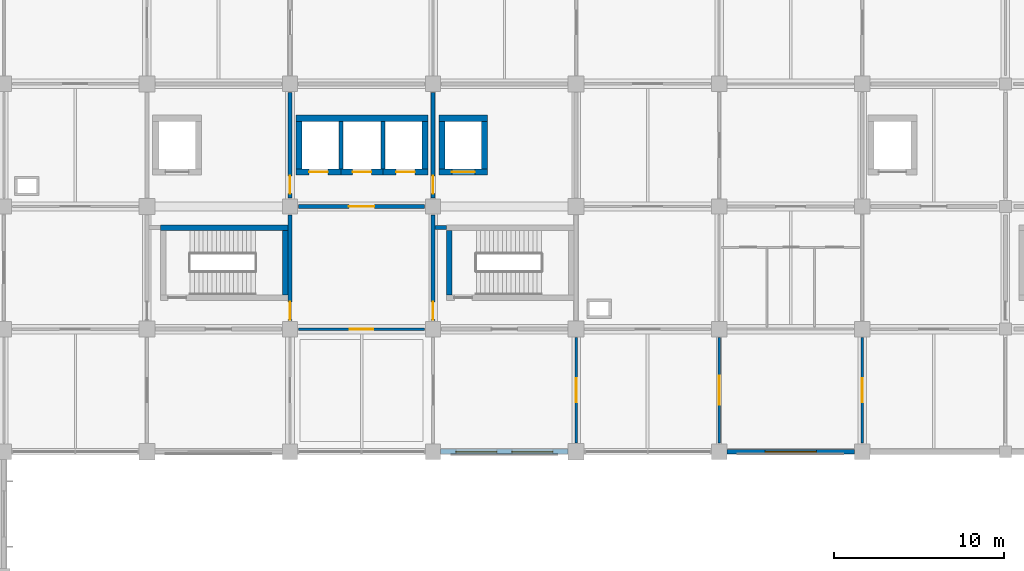
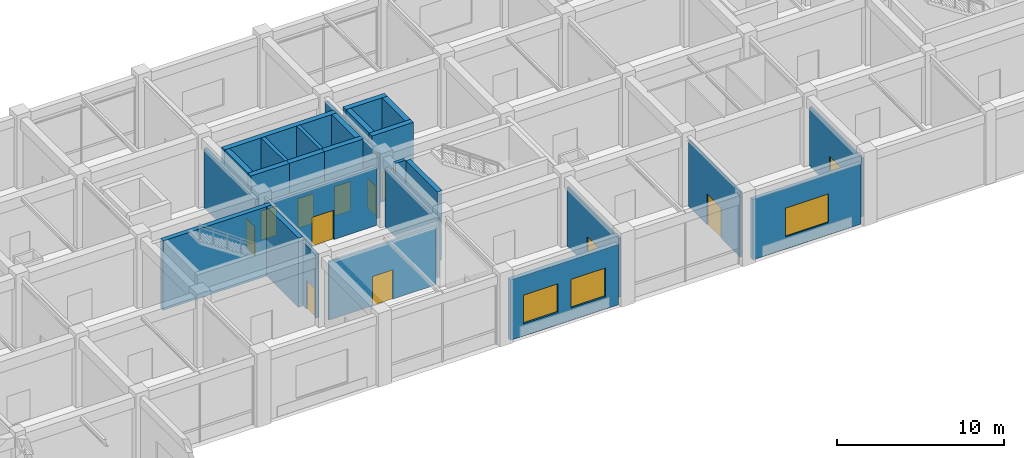
# One storey, part 24 of 41: 27 walls, 13 doors, 3 windows, 16 openings.
"""IFC4 building model written with IfcOpenShell, lengths in metres."""

from ifc_helpers import new_model, si_unit, derived_unit, direction, frame, frame_2d, origin, place, context, subcontext, project, spatial, rectangle, extrude, material, layer, layer_set, type_object, element, fill, save


model = new_model("IFC4")

# Units and contexts
model_context = context("Model", 3, precision=1e-05, world=origin(), true_north=direction((0.0, 1.0)))
body_context = subcontext(model_context, "Body", "Model", "MODEL_VIEW")
ifc_project = project(units=[si_unit("LENGTHUNIT", "METRE"), si_unit("AREAUNIT", "SQUARE_METRE"), si_unit("VOLUMEUNIT", "CUBIC_METRE"), si_unit("PLANEANGLEUNIT", "RADIAN"), si_unit("MASSUNIT", "GRAM", prefix="KILO"), derived_unit("THERMALTRANSMITTANCEUNIT", [(si_unit("MASSUNIT", "GRAM", prefix="KILO"), 1), (si_unit("TIMEUNIT", "SECOND"), -3), (si_unit("THERMODYNAMICTEMPERATUREUNIT", "KELVIN"), -1)])], contexts=[model_context])

# Site, building, storey
site_placement = place(None, origin())
site = spatial("IfcSite", under=ifc_project, at=site_placement, CompositionType="ELEMENT")
building_placement = place(site_placement, origin())
building = spatial("IfcBuilding", under=site, at=building_placement, Name="Veldstrom Oceanarium and Marine Research Institute", CompositionType="ELEMENT")
storey_placement = place(building_placement, frame((0.0, 0.0, 6.0)))
storey = spatial("IfcBuildingStorey", under=building, at=storey_placement, Name="L01", CompositionType="ELEMENT", Elevation=6.0)

# Wall, openings, windows
ifc_material_1 = material(Name="Masonry Cavity Wall", Category="masonry")
ifc_layer_1 = layer(ifc_material_1, 0.2900390625)
ifc_layer_set_1 = layer_set([ifc_layer_1], Name="ARC-WAL-EW2")
wall_type_1 = type_object("IfcWallType", Name="ARC-WAL-EW2", PredefinedType="SOLIDWALL", material=ifc_layer_set_1)
wall_1_placement = place(storey_placement, frame((92.85009765625, 43.199951171875, 0.0), z_axis=(0.0, 0.0, 1.0), x_axis=(1.0, 0.0, 0.0)))
wall_1 = element("IfcWall", 1, at=wall_1_placement, inside=storey, type_object=wall_type_1, Name="Exterior Facade Wall EW2 L01-093", PredefinedType="SOLIDWALL", context=body_context, shape_type="SweptSolid", body=[
    extrude(rectangle(XDim=7.474853515625, YDim=0.2900390625, at=frame_2d((3.7373046875, 0.0))), origin(), (0.0, 0.0, 1.0), 4.419921875),
])
opening_1_placement = place(wall_1_placement, frame((0.8916015625, 0.0, 0.89990234375)))
opening_1 = element("IfcOpeningElement", 2, at=opening_1_placement, cuts=wall_1, Name="Opening W09", PredefinedType="OPENING", context=body_context, shape_type="SweptSolid", body=[
    extrude(rectangle(XDim=2.39990234375, YDim=2.10009765625, at=frame_2d((1.199951171875, 1.050048828125))), frame((0.0, 0.155029296875, 0.0), z_axis=(0.0, -1.0, 0.0), x_axis=(1.0, 0.0, 0.0)), (0.0, 0.0, 1.0), 0.31005859375),
])
opening_2_placement = place(wall_1_placement, frame((4.183349609375, 0.0, 0.89990234375)))
opening_2 = element("IfcOpeningElement", 3, at=opening_2_placement, cuts=wall_1, Name="Opening W09", PredefinedType="OPENING", context=body_context, shape_type="SweptSolid", body=[
    extrude(rectangle(XDim=2.39990234375, YDim=2.10009765625, at=frame_2d((1.199951171875, 1.050048828125))), frame((0.0, 0.155029296875, 0.0), z_axis=(0.0, -1.0, 0.0), x_axis=(1.0, 0.0, 0.0)), (0.0, 0.0, 1.0), 0.31005859375),
])
ifc_material_2 = material(Name="Double Glazed Low-E IGU", Category="glass")
window_type_1 = type_object("IfcWindowType", Name="ARC-WIN-W09", PartitioningType="SINGLE_PANEL", PredefinedType="WINDOW", material=ifc_material_2)
window_1_placement = place(opening_1_placement, origin())
window_1 = element("IfcWindow", 4, at=window_1_placement, inside=storey, type_object=window_type_1, Name="Facade Window W09 L01-0062", OverallHeight=2.10009765625, OverallWidth=2.39990234375, PartitioningType="SINGLE_PANEL", PredefinedType="WINDOW", context=body_context, shape_type="SweptSolid", body=[
    extrude(rectangle(XDim=2.39990234375, YDim=2.10009765625, at=frame_2d((1.199951171875, 1.050048828125))), frame((0.0, 0.030029296875, 0.0), z_axis=(0.0, -1.0, 0.0), x_axis=(1.0, 0.0, 0.0)), (0.0, 0.0, 1.0), 0.06005859375),
])
fill(opening_1, window_1)
window_2_placement = place(opening_2_placement, origin())
window_2 = element("IfcWindow", 5, at=window_2_placement, inside=storey, type_object=window_type_1, Name="Facade Window W09 L01-0063", OverallHeight=2.10009765625, OverallWidth=2.39990234375, PartitioningType="SINGLE_PANEL", PredefinedType="WINDOW", context=body_context, shape_type="SweptSolid", body=[
    extrude(rectangle(XDim=2.39990234375, YDim=2.10009765625, at=frame_2d((1.199951171875, 1.050048828125))), frame((0.0, 0.030029296875, 0.0), z_axis=(0.0, -1.0, 0.0), x_axis=(1.0, 0.0, 0.0)), (0.0, 0.0, 1.0), 0.06005859375),
])
fill(opening_2, window_2)

# Wall, opening, window
ifc_material_3 = material(Name="Masonry Cavity Wall", Category="masonry")
ifc_layer_2 = layer(ifc_material_3, 0.25)
ifc_layer_set_2 = layer_set([ifc_layer_2], Name="ARC-WAL-EW5")
wall_type_2 = type_object("IfcWallType", Name="ARC-WAL-EW5", PredefinedType="SOLIDWALL", material=ifc_layer_set_2)
wall_2_placement = place(storey_placement, frame((109.64990234375, 43.199951171875, 0.0), z_axis=(0.0, 0.0, 1.0), x_axis=(1.0, 0.0, 0.0)))
wall_2 = element("IfcWall", 6, at=wall_2_placement, inside=storey, type_object=wall_type_2, Name="Exterior Facade Wall EW5 L01-095", PredefinedType="SOLIDWALL", context=body_context, shape_type="SweptSolid", body=[
    extrude(rectangle(XDim=7.5, YDim=0.25, at=frame_2d((3.75, 0.0))), origin(), (0.0, 0.0, 1.0), 4.419921875),
])
opening_3_placement = place(wall_2_placement, frame((2.25, 0.0, 0.89990234375)))
opening_3 = element("IfcOpeningElement", 7, at=opening_3_placement, cuts=wall_2, Name="Opening W07", PredefinedType="OPENING", context=body_context, shape_type="SweptSolid", body=[
    extrude(rectangle(XDim=3.0, YDim=2.10009765625, at=frame_2d((1.5, 1.050048828125))), frame((0.0, 0.135009765625, 0.0), z_axis=(0.0, -1.0, 0.0), x_axis=(1.0, 0.0, 0.0)), (0.0, 0.0, 1.0), 0.27001953125),
])
ifc_material_4 = material(Name="Double Glazed Low-E IGU", Category="glass")
window_type_2 = type_object("IfcWindowType", Name="ARC-WIN-W07", PartitioningType="SINGLE_PANEL", PredefinedType="WINDOW", material=ifc_material_4)
window_3_placement = place(opening_3_placement, origin())
window_3 = element("IfcWindow", 8, at=window_3_placement, inside=storey, type_object=window_type_2, Name="Facade Window W07 L01-0065", OverallHeight=2.10009765625, OverallWidth=3.0, PartitioningType="SINGLE_PANEL", PredefinedType="WINDOW", context=body_context, shape_type="SweptSolid", body=[
    extrude(rectangle(XDim=3.0, YDim=2.10009765625, at=frame_2d((1.5, 1.050048828125))), frame((0.0, 0.030029296875, 0.0), z_axis=(0.0, -1.0, 0.0), x_axis=(1.0, 0.0, 0.0)), (0.0, 0.0, 1.0), 0.06005859375),
])
fill(opening_3, window_3)

# Wall, opening, door
ifc_material_5 = material(Name="Masonry Fire Compartment Wall", Category="masonry")
ifc_layer_3 = layer(ifc_material_5, 0.22998046875)
ifc_layer_set_3 = layer_set([ifc_layer_3], Name="ARC-WAL-PT1")
wall_type_3 = type_object("IfcWallType", Name="ARC-WAL-PT1", PredefinedType="PARTITIONING", material=ifc_layer_set_3)
wall_3_placement = place(storey_placement, frame((84.0, 50.89990234375, 0.0), z_axis=(0.0, 0.0, 1.0), x_axis=(0.0, 1.0, 0.0)))
wall_3 = element("IfcWall", 9, at=wall_3_placement, inside=storey, type_object=wall_type_3, Name="Interior Partition PT1 L01-0952", PredefinedType="PARTITIONING", context=body_context, shape_type="SweptSolid", body=[
    extrude(rectangle(XDim=6.2001953125, YDim=0.22998046875, at=frame_2d((3.10009765625, 0.0))), origin(), (0.0, 0.0, 1.0), 4.669921875),
])
opening_4_placement = place(wall_3_placement, frame((0.050048828125, 0.0, 0.0)))
opening_4 = element("IfcOpeningElement", 10, at=opening_4_placement, cuts=wall_3, Name="Opening D-L01-553", PredefinedType="OPENING", context=body_context, shape_type="SweptSolid", body=[
    extrude(rectangle(XDim=1.050048828125, YDim=2.14990234375, at=frame_2d((0.52490234375, 1.074951171875))), frame((0.0, 0.125, 0.0), z_axis=(0.0, -1.0, 0.0), x_axis=(1.0, 0.0, 0.0)), (0.0, 0.0, 1.0), 0.25),
])
ifc_material_6 = material(Name="Painted Steel Fire Door", Category="steel")
door_type_1 = type_object("IfcDoorType", Name="ARC-DOR-SD1", OperationType="SINGLE_SWING_LEFT", PredefinedType="DOOR", material=ifc_material_6)
door_1_placement = place(opening_4_placement, origin())
door_1 = element("IfcDoor", 11, at=door_1_placement, inside=storey, type_object=door_type_1, Name="Interior Door D-L01-553", OperationType="SINGLE_SWING_LEFT", OverallHeight=2.14990234375, OverallWidth=1.050048828125, PredefinedType="DOOR", context=body_context, shape_type="SweptSolid", body=[
    extrude(rectangle(XDim=1.050048828125, YDim=2.14990234375, at=frame_2d((0.52490234375, 1.074951171875))), frame((0.0, 0.02490234375, 0.0), z_axis=(0.0, -1.0, 0.0), x_axis=(1.0, 0.0, 0.0)), (0.0, 0.0, 1.0), 0.050048828125),
])
fill(opening_4, door_1)

wall_4_placement = place(storey_placement, frame((84.0, 58.10009765625, 0.0), z_axis=(0.0, 0.0, 1.0), x_axis=(0.0, 1.0, 0.0)))
wall_4 = element("IfcWall", 12, at=wall_4_placement, inside=storey, type_object=wall_type_3, Name="Interior Partition PT1 L01-0954", PredefinedType="PARTITIONING", context=body_context, shape_type="SweptSolid", body=[
    extrude(rectangle(XDim=6.199951171875, YDim=0.22998046875, at=frame_2d((3.10009765625, 0.0))), origin(), (0.0, 0.0, 1.0), 4.320068359375),
])
opening_5_placement = place(wall_4_placement, frame((0.25, 0.0, 0.0)))
opening_5 = element("IfcOpeningElement", 13, at=opening_5_placement, cuts=wall_4, Name="Opening D-L01-554", PredefinedType="OPENING", context=body_context, shape_type="SweptSolid", body=[
    extrude(rectangle(XDim=1.050048828125, YDim=2.14990234375, at=frame_2d((0.52490234375, 1.074951171875))), frame((0.0, 0.125, 0.0), z_axis=(0.0, -1.0, 0.0), x_axis=(1.0, 0.0, 0.0)), (0.0, 0.0, 1.0), 0.25),
])
door_2_placement = place(opening_5_placement, frame((1.050048828125, 0.0, 0.0), z_axis=(0.0, 0.0, 1.0), x_axis=(-1.0, 0.0, 0.0)))
door_2 = element("IfcDoor", 14, at=door_2_placement, inside=storey, type_object=door_type_1, Name="Interior Door D-L01-554", OperationType="SINGLE_SWING_RIGHT", OverallHeight=2.14990234375, OverallWidth=1.050048828125, PredefinedType="DOOR", context=body_context, shape_type="SweptSolid", body=[
    extrude(rectangle(XDim=1.050048828125, YDim=2.14990234375, at=frame_2d((0.52490234375, 1.074951171875))), frame((0.0, 0.02490234375, 0.0), z_axis=(0.0, -1.0, 0.0), x_axis=(1.0, 0.0, 0.0)), (0.0, 0.0, 1.0), 0.050048828125),
])
fill(opening_5, door_2)

wall_5_placement = place(storey_placement, frame((92.39990234375, 50.89990234375, 0.0), z_axis=(0.0, 0.0, 1.0), x_axis=(0.0, 1.0, 0.0)))
wall_5 = element("IfcWall", 15, at=wall_5_placement, inside=storey, type_object=wall_type_3, Name="Interior Partition PT1 L01-0959", PredefinedType="PARTITIONING", context=body_context, shape_type="SweptSolid", body=[
    extrude(rectangle(XDim=6.2001953125, YDim=0.22998046875, at=frame_2d((3.10009765625, 0.0))), origin(), (0.0, 0.0, 1.0), 4.320068359375),
])
opening_6_placement = place(wall_5_placement, frame((0.050048828125, 0.0, 0.0)))
opening_6 = element("IfcOpeningElement", 16, at=opening_6_placement, cuts=wall_5, Name="Opening D-L01-558", PredefinedType="OPENING", context=body_context, shape_type="SweptSolid", body=[
    extrude(rectangle(XDim=1.050048828125, YDim=2.14990234375, at=frame_2d((0.52490234375, 1.074951171875))), frame((0.0, 0.125, 0.0), z_axis=(0.0, -1.0, 0.0), x_axis=(1.0, 0.0, 0.0)), (0.0, 0.0, 1.0), 0.25),
])
door_3_placement = place(opening_6_placement, frame((1.050048828125, 0.0, 0.0), z_axis=(0.0, 0.0, 1.0), x_axis=(-1.0, 0.0, 0.0)))
door_3 = element("IfcDoor", 17, at=door_3_placement, inside=storey, type_object=door_type_1, Name="Interior Door D-L01-558", OperationType="SINGLE_SWING_RIGHT", OverallHeight=2.14990234375, OverallWidth=1.050048828125, PredefinedType="DOOR", context=body_context, shape_type="SweptSolid", body=[
    extrude(rectangle(XDim=1.050048828125, YDim=2.14990234375, at=frame_2d((0.52490234375, 1.074951171875))), frame((0.0, 0.02490234375, 0.0), z_axis=(0.0, -1.0, 0.0), x_axis=(1.0, 0.0, 0.0)), (0.0, 0.0, 1.0), 0.050048828125),
])
fill(opening_6, door_3)

wall_6_placement = place(storey_placement, frame((84.5, 57.60009765625, 0.0), z_axis=(0.0, 0.0, 1.0), x_axis=(1.0, 0.0, 0.0)))
wall_6 = element("IfcWall", 18, at=wall_6_placement, inside=storey, type_object=wall_type_3, Name="Interior Partition PT1 L01-0960", PredefinedType="PARTITIONING", context=body_context, shape_type="SweptSolid", body=[
    extrude(rectangle(XDim=7.39990234375, YDim=0.22998046875, at=frame_2d((3.699951171875, 0.0))), origin(), (0.0, 0.0, 1.0), 4.27001953125),
])
opening_7_placement = place(wall_6_placement, frame((2.949951171875, 0.0, 0.0)))
opening_7 = element("IfcOpeningElement", 19, at=opening_7_placement, cuts=wall_6, Name="Opening D-L01-559", PredefinedType="OPENING", context=body_context, shape_type="SweptSolid", body=[
    extrude(rectangle(XDim=1.5, YDim=2.14990234375, at=frame_2d((0.75, 1.074951171875))), frame((0.0, 0.125, 0.0), z_axis=(0.0, -1.0, 0.0), x_axis=(1.0, 0.0, 0.0)), (0.0, 0.0, 1.0), 0.25),
])
ifc_material_7 = material(Name="Painted Steel Lobby Fire Door", Category="steel")
door_type_2 = type_object("IfcDoorType", Name="ARC-DOR-SD2", OperationType="DOUBLE_DOOR_SINGLE_SWING", PredefinedType="DOOR", material=ifc_material_7)
door_4_placement = place(opening_7_placement, origin())
door_4 = element("IfcDoor", 20, at=door_4_placement, inside=storey, type_object=door_type_2, Name="Interior Door D-L01-559", OperationType="DOUBLE_DOOR_SINGLE_SWING", OverallHeight=2.14990234375, OverallWidth=1.5, PredefinedType="DOOR", context=body_context, shape_type="SweptSolid", body=[
    extrude(rectangle(XDim=1.5, YDim=2.14990234375, at=frame_2d((0.75, 1.074951171875))), frame((0.0, 0.02490234375, 0.0), z_axis=(0.0, -1.0, 0.0), x_axis=(1.0, 0.0, 0.0)), (0.0, 0.0, 1.0), 0.050048828125),
])
fill(opening_7, door_4)

wall_7_placement = place(storey_placement, frame((92.39990234375, 58.10009765625, 0.0), z_axis=(0.0, 0.0, 1.0), x_axis=(0.0, 1.0, 0.0)))
wall_7 = element("IfcWall", 21, at=wall_7_placement, inside=storey, type_object=wall_type_3, Name="Interior Partition PT1 L01-0961", PredefinedType="PARTITIONING", context=body_context, shape_type="SweptSolid", body=[
    extrude(rectangle(XDim=6.199951171875, YDim=0.22998046875, at=frame_2d((3.10009765625, 0.0))), origin(), (0.0, 0.0, 1.0), 4.780029296875),
])
opening_8_placement = place(wall_7_placement, frame((0.25, 0.0, 0.0)))
opening_8 = element("IfcOpeningElement", 22, at=opening_8_placement, cuts=wall_7, Name="Opening D-L01-560", PredefinedType="OPENING", context=body_context, shape_type="SweptSolid", body=[
    extrude(rectangle(XDim=1.050048828125, YDim=2.14990234375, at=frame_2d((0.52490234375, 1.074951171875))), frame((0.0, 0.125, 0.0), z_axis=(0.0, -1.0, 0.0), x_axis=(1.0, 0.0, 0.0)), (0.0, 0.0, 1.0), 0.25),
])
door_5_placement = place(opening_8_placement, origin())
door_5 = element("IfcDoor", 23, at=door_5_placement, inside=storey, type_object=door_type_1, Name="Interior Door D-L01-560", OperationType="SINGLE_SWING_LEFT", OverallHeight=2.14990234375, OverallWidth=1.050048828125, PredefinedType="DOOR", context=body_context, shape_type="SweptSolid", body=[
    extrude(rectangle(XDim=1.050048828125, YDim=2.14990234375, at=frame_2d((0.52490234375, 1.074951171875))), frame((0.0, 0.02490234375, 0.0), z_axis=(0.0, -1.0, 0.0), x_axis=(1.0, 0.0, 0.0)), (0.0, 0.0, 1.0), 0.050048828125),
])
fill(opening_8, door_5)

# Wall
wall_8_placement = place(storey_placement, frame((92.52001953125, 56.360107421875, 0.0), z_axis=(0.0, 0.0, 1.0), x_axis=(1.0, 0.0, 0.0)))
element("IfcWall", 24, at=wall_8_placement, inside=storey, type_object=wall_type_3, Name="Interior Partition PT1 L01-0967", PredefinedType="PARTITIONING", context=body_context, shape_type="SweptSolid", body=[
    extrude(rectangle(XDim=0.679931640625, YDim=0.22998046875, at=frame_2d((0.33984375, 0.0))), origin(), (0.0, 0.0, 1.0), 5.074951171875),
])

# Wall, opening, door
ifc_material_8 = material(Name="Drywall Corridor Partition", Category="gypsum")
ifc_layer_4 = layer(ifc_material_8, 0.155029296875)
ifc_layer_set_4 = layer_set([ifc_layer_4], Name="ARC-WAL-PT4")
wall_type_4 = type_object("IfcWallType", Name="ARC-WAL-PT4", PredefinedType="PARTITIONING", material=ifc_layer_set_4)
wall_9_placement = place(storey_placement, frame((84.5, 50.39990234375, 0.0), z_axis=(0.0, 0.0, 1.0), x_axis=(1.0, 0.0, 0.0)))
wall_9 = element("IfcWall", 25, at=wall_9_placement, inside=storey, type_object=wall_type_4, Name="Interior Partition PT4 L01-0958", PredefinedType="PARTITIONING", context=body_context, shape_type="SweptSolid", body=[
    extrude(rectangle(XDim=7.39990234375, YDim=0.155029296875, at=frame_2d((3.699951171875, 0.0))), origin(), (0.0, 0.0, 1.0), 4.27001953125),
])
opening_9_placement = place(wall_9_placement, frame((3.0, 0.0, 0.0)))
opening_9 = element("IfcOpeningElement", 26, at=opening_9_placement, cuts=wall_9, Name="Opening D-L01-557", PredefinedType="OPENING", context=body_context, shape_type="SweptSolid", body=[
    extrude(rectangle(XDim=1.39990234375, YDim=2.14990234375, at=frame_2d((0.699951171875, 1.074951171875))), frame((0.0, 0.08740234375, 0.0), z_axis=(0.0, -1.0, 0.0), x_axis=(1.0, 0.0, 0.0)), (0.0, 0.0, 1.0), 0.175048828125),
])
ifc_material_9 = material(Name="Education Classroom Door", Category="timber")
door_type_3 = type_object("IfcDoorType", Name="ARC-DOR-ID04", OperationType="DOUBLE_DOOR_SINGLE_SWING", PredefinedType="DOOR", material=ifc_material_9)
door_6_placement = place(opening_9_placement, frame((1.39990234375, 0.0, 0.0), z_axis=(0.0, 0.0, 1.0), x_axis=(-1.0, 0.0, 0.0)))
door_6 = element("IfcDoor", 27, at=door_6_placement, inside=storey, type_object=door_type_3, Name="Interior Door D-L01-557", OperationType="DOUBLE_DOOR_SINGLE_SWING", OverallHeight=2.14990234375, OverallWidth=1.39990234375, PredefinedType="DOOR", context=body_context, shape_type="SweptSolid", body=[
    extrude(rectangle(XDim=1.39990234375, YDim=2.14990234375, at=frame_2d((0.699951171875, 1.074951171875))), frame((0.0, 0.02490234375, 0.0), z_axis=(0.0, -1.0, 0.0), x_axis=(1.0, 0.0, 0.0)), (0.0, 0.0, 1.0), 0.050048828125),
])
fill(opening_9, door_6)

wall_10_placement = place(storey_placement, frame((109.199951171875, 43.699951171875, 0.0), z_axis=(0.0, 0.0, 1.0), x_axis=(0.0, 1.0, 0.0)))
wall_10 = element("IfcWall", 28, at=wall_10_placement, inside=storey, type_object=wall_type_4, Name="Interior Partition PT4 L01-0971", PredefinedType="PARTITIONING", context=body_context, shape_type="SweptSolid", body=[
    extrude(rectangle(XDim=6.199951171875, YDim=0.155029296875, at=frame_2d((3.10009765625, 0.0))), origin(), (0.0, 0.0, 1.0), 4.780029296875),
])
opening_10_placement = place(wall_10_placement, frame((2.25, 0.0, 0.0)))
opening_10 = element("IfcOpeningElement", 29, at=opening_10_placement, cuts=wall_10, Name="Opening D-L01-564", PredefinedType="OPENING", context=body_context, shape_type="SweptSolid", body=[
    extrude(rectangle(XDim=1.699951171875, YDim=2.25, at=frame_2d((0.85009765625, 1.125))), frame((0.0, 0.08740234375, 0.0), z_axis=(0.0, -1.0, 0.0), x_axis=(1.0, 0.0, 0.0)), (0.0, 0.0, 1.0), 0.175048828125),
])
ifc_material_10 = material(Name="Symposium Auditorium Door", Category="timber")
door_type_4 = type_object("IfcDoorType", Name="ARC-DOR-ID13", OperationType="DOUBLE_DOOR_SINGLE_SWING", PredefinedType="DOOR", material=ifc_material_10)
door_7_placement = place(opening_10_placement, origin())
door_7 = element("IfcDoor", 30, at=door_7_placement, inside=storey, type_object=door_type_4, Name="Interior Door D-L01-564", OperationType="DOUBLE_DOOR_SINGLE_SWING", OverallHeight=2.25, OverallWidth=1.699951171875, PredefinedType="DOOR", context=body_context, shape_type="SweptSolid", body=[
    extrude(rectangle(XDim=1.699951171875, YDim=2.25, at=frame_2d((0.85009765625, 1.125))), frame((0.0, 0.02490234375, 0.0), z_axis=(0.0, -1.0, 0.0), x_axis=(1.0, 0.0, 0.0)), (0.0, 0.0, 1.0), 0.050048828125),
])
fill(opening_10, door_7)

ifc_material_11 = material(Name="Moisture-Resistant Wet-Area Partition", Category="masonry")
ifc_layer_5 = layer(ifc_material_11, 0.139892578125)
ifc_layer_set_5 = layer_set([ifc_layer_5], Name="ARC-WAL-PT5")
wall_type_5 = type_object("IfcWallType", Name="ARC-WAL-PT5", PredefinedType="PARTITIONING", material=ifc_layer_set_5)
wall_11_placement = place(storey_placement, frame((100.800048828125, 43.699951171875, 0.0), z_axis=(0.0, 0.0, 1.0), x_axis=(0.0, 1.0, 0.0)))
wall_11 = element("IfcWall", 31, at=wall_11_placement, inside=storey, type_object=wall_type_5, Name="Interior Partition PT5 L01-0964", PredefinedType="PARTITIONING", context=body_context, shape_type="SweptSolid", body=[
    extrude(rectangle(XDim=6.199951171875, YDim=0.139892578125, at=frame_2d((3.10009765625, 0.0))), origin(), (0.0, 0.0, 1.0), 4.320068359375),
])
opening_11_placement = place(wall_11_placement, frame((2.39990234375, 0.0, 0.0)))
opening_11 = element("IfcOpeningElement", 32, at=opening_11_placement, cuts=wall_11, Name="Opening D-L01-561", PredefinedType="OPENING", context=body_context, shape_type="SweptSolid", body=[
    extrude(rectangle(XDim=1.39990234375, YDim=2.14990234375, at=frame_2d((0.699951171875, 1.074951171875))), frame((0.0, 0.079833984375, 0.0), z_axis=(0.0, -1.0, 0.0), x_axis=(1.0, 0.0, 0.0)), (0.0, 0.0, 1.0), 0.159912109375),
])
door_8_placement = place(opening_11_placement, frame((1.39990234375, 0.0, 0.0), z_axis=(0.0, 0.0, 1.0), x_axis=(-1.0, 0.0, 0.0)))
door_8 = element("IfcDoor", 33, at=door_8_placement, inside=storey, type_object=door_type_3, Name="Interior Door D-L01-561", OperationType="DOUBLE_DOOR_SINGLE_SWING", OverallHeight=2.14990234375, OverallWidth=1.39990234375, PredefinedType="DOOR", context=body_context, shape_type="SweptSolid", body=[
    extrude(rectangle(XDim=1.39990234375, YDim=2.14990234375, at=frame_2d((0.699951171875, 1.074951171875))), frame((0.0, 0.02490234375, 0.0), z_axis=(0.0, -1.0, 0.0), x_axis=(1.0, 0.0, 0.0)), (0.0, 0.0, 1.0), 0.050048828125),
])
fill(opening_11, door_8)

wall_12_placement = place(storey_placement, frame((117.60009765625, 43.699951171875, 0.0), z_axis=(0.0, 0.0, 1.0), x_axis=(0.0, 1.0, 0.0)))
wall_12 = element("IfcWall", 34, at=wall_12_placement, inside=storey, type_object=wall_type_5, Name="Interior Partition PT5 L01-0978", PredefinedType="PARTITIONING", context=body_context, shape_type="SweptSolid", body=[
    extrude(rectangle(XDim=6.199951171875, YDim=0.139892578125, at=frame_2d((3.10009765625, 0.0))), origin(), (0.0, 0.0, 1.0), 4.320068359375),
])
opening_12_placement = place(wall_12_placement, frame((2.39990234375, 0.0, 0.0)))
opening_12 = element("IfcOpeningElement", 35, at=opening_12_placement, cuts=wall_12, Name="Opening D-L01-569", PredefinedType="OPENING", context=body_context, shape_type="SweptSolid", body=[
    extrude(rectangle(XDim=1.39990234375, YDim=2.14990234375, at=frame_2d((0.699951171875, 1.074951171875))), frame((0.0, 0.079833984375, 0.0), z_axis=(0.0, -1.0, 0.0), x_axis=(1.0, 0.0, 0.0)), (0.0, 0.0, 1.0), 0.159912109375),
])
door_9_placement = place(opening_12_placement, frame((1.39990234375, 0.0, 0.0), z_axis=(0.0, 0.0, 1.0), x_axis=(-1.0, 0.0, 0.0)))
door_9 = element("IfcDoor", 36, at=door_9_placement, inside=storey, type_object=door_type_3, Name="Interior Door D-L01-569", OperationType="DOUBLE_DOOR_SINGLE_SWING", OverallHeight=2.14990234375, OverallWidth=1.39990234375, PredefinedType="DOOR", context=body_context, shape_type="SweptSolid", body=[
    extrude(rectangle(XDim=1.39990234375, YDim=2.14990234375, at=frame_2d((0.699951171875, 1.074951171875))), frame((0.0, 0.02490234375, 0.0), z_axis=(0.0, -1.0, 0.0), x_axis=(1.0, 0.0, 0.0)), (0.0, 0.0, 1.0), 0.050048828125),
])
fill(opening_12, door_9)

# Wall
ifc_material_12 = material(Name="Concrete C40/50", Category="concrete")
ifc_layer_6 = layer(ifc_material_12, 0.360107421875)
ifc_layer_set_6 = layer_set([ifc_layer_6], Name="STR-WAL-WC2")
wall_type_6 = type_object("IfcWallType", Name="STR-WAL-WC2", PredefinedType="SHEAR", material=ifc_layer_set_6)
wall_13_placement = place(storey_placement, frame((84.340087890625, 62.780029296875, 0.0), z_axis=(0.0, 0.0, 1.0), x_axis=(1.0, 0.0, 0.0)))
element("IfcWall", 37, at=wall_13_placement, inside=storey, type_object=wall_type_6, Name="Lift Shaft Shear Wall N L01 10/8", PredefinedType="SHEAR", context=body_context, shape_type="SweptSolid", body=[
    extrude(rectangle(XDim=7.77001953125, YDim=0.360107421875, at=frame_2d((3.885009765625, 0.0))), origin(), (0.0, 0.0, 1.0), 5.074951171875),
])

# Wall, opening, door
wall_14_placement = place(storey_placement, frame((84.340087890625, 59.6201171875, 0.0), z_axis=(0.0, 0.0, 1.0), x_axis=(1.0, 0.0, 0.0)))
wall_14 = element("IfcWall", 38, at=wall_14_placement, inside=storey, type_object=wall_type_6, Name="Lift Shaft Front Shear Wall LP1 L01", PredefinedType="SHEAR", context=body_context, shape_type="SweptSolid", body=[
    extrude(rectangle(XDim=2.659912109375, YDim=0.360107421875, at=frame_2d((1.330078125, 0.0))), origin(), (0.0, 0.0, 1.0), 5.074951171875),
])
opening_13_placement = place(wall_14_placement, frame((0.780029296875, 0.0, 0.0)))
opening_13 = element("IfcOpeningElement", 39, at=opening_13_placement, cuts=wall_14, Name="Opening LD-LP1-L01", PredefinedType="OPENING", context=body_context, shape_type="SweptSolid", body=[
    extrude(rectangle(XDim=1.10009765625, YDim=2.14990234375, at=frame_2d((0.550048828125, 1.074951171875))), frame((0.0, 0.18994140625, 0.0), z_axis=(0.0, -1.0, 0.0), x_axis=(1.0, 0.0, 0.0)), (0.0, 0.0, 1.0), 0.380126953125),
])
ifc_material_13 = material(Name="Stainless Steel Lift Landing Door", Category="steel")
door_type_5 = type_object("IfcDoorType", Name="ARC-DOR-LD1", OperationType="DOUBLE_DOOR_SLIDING", PredefinedType="DOOR", material=ifc_material_13)
door_10_placement = place(opening_13_placement, origin())
door_10 = element("IfcDoor", 40, at=door_10_placement, inside=storey, type_object=door_type_5, Name="Lift Landing Door LD-LP1-L01", OperationType="DOUBLE_DOOR_SLIDING", OverallHeight=2.14990234375, OverallWidth=1.10009765625, PredefinedType="DOOR", context=body_context, shape_type="SweptSolid", body=[
    extrude(rectangle(XDim=1.10009765625, YDim=2.14990234375, at=frame_2d((0.550048828125, 1.074951171875))), frame((0.0, 0.02490234375, 0.0), z_axis=(0.0, -1.0, 0.0), x_axis=(1.0, 0.0, 0.0)), (0.0, 0.0, 1.0), 0.050048828125),
])
fill(opening_13, door_10)

wall_15_placement = place(storey_placement, frame((87.0, 59.6201171875, 0.0), z_axis=(0.0, 0.0, 1.0), x_axis=(1.0, 0.0, 0.0)))
wall_15 = element("IfcWall", 41, at=wall_15_placement, inside=storey, type_object=wall_type_6, Name="Lift Shaft Front Shear Wall LP2 L01", PredefinedType="SHEAR", context=body_context, shape_type="SweptSolid", body=[
    extrude(rectangle(XDim=2.449951171875, YDim=0.360107421875, at=frame_2d((1.22509765625, 0.0))), origin(), (0.0, 0.0, 1.0), 5.074951171875),
])
opening_14_placement = place(wall_15_placement, frame((0.675048828125, 0.0, 0.0)))
opening_14 = element("IfcOpeningElement", 42, at=opening_14_placement, cuts=wall_15, Name="Opening LD-LP2-L01", PredefinedType="OPENING", context=body_context, shape_type="SweptSolid", body=[
    extrude(rectangle(XDim=1.10009765625, YDim=2.14990234375, at=frame_2d((0.550048828125, 1.074951171875))), frame((0.0, 0.18994140625, 0.0), z_axis=(0.0, -1.0, 0.0), x_axis=(1.0, 0.0, 0.0)), (0.0, 0.0, 1.0), 0.380126953125),
])
door_11_placement = place(opening_14_placement, origin())
door_11 = element("IfcDoor", 43, at=door_11_placement, inside=storey, type_object=door_type_5, Name="Lift Landing Door LD-LP2-L01", OperationType="DOUBLE_DOOR_SLIDING", OverallHeight=2.14990234375, OverallWidth=1.10009765625, PredefinedType="DOOR", context=body_context, shape_type="SweptSolid", body=[
    extrude(rectangle(XDim=1.10009765625, YDim=2.14990234375, at=frame_2d((0.550048828125, 1.074951171875))), frame((0.0, 0.02490234375, 0.0), z_axis=(0.0, -1.0, 0.0), x_axis=(1.0, 0.0, 0.0)), (0.0, 0.0, 1.0), 0.050048828125),
])
fill(opening_14, door_11)

wall_16_placement = place(storey_placement, frame((89.449951171875, 59.6201171875, 0.0), z_axis=(0.0, 0.0, 1.0), x_axis=(1.0, 0.0, 0.0)))
wall_16 = element("IfcWall", 44, at=wall_16_placement, inside=storey, type_object=wall_type_6, Name="Lift Shaft Front Shear Wall LP3 L01", PredefinedType="SHEAR", context=body_context, shape_type="SweptSolid", body=[
    extrude(rectangle(XDim=2.66015625, YDim=0.360107421875, at=frame_2d((1.330078125, 0.0))), origin(), (0.0, 0.0, 1.0), 5.074951171875),
])
opening_15_placement = place(wall_16_placement, frame((0.780029296875, 0.0, 0.0)))
opening_15 = element("IfcOpeningElement", 45, at=opening_15_placement, cuts=wall_16, Name="Opening LD-LP3-L01", PredefinedType="OPENING", context=body_context, shape_type="SweptSolid", body=[
    extrude(rectangle(XDim=1.10009765625, YDim=2.14990234375, at=frame_2d((0.550048828125, 1.074951171875))), frame((0.0, 0.18994140625, 0.0), z_axis=(0.0, -1.0, 0.0), x_axis=(1.0, 0.0, 0.0)), (0.0, 0.0, 1.0), 0.380126953125),
])
door_12_placement = place(opening_15_placement, origin())
door_12 = element("IfcDoor", 46, at=door_12_placement, inside=storey, type_object=door_type_5, Name="Lift Landing Door LD-LP3-L01", OperationType="DOUBLE_DOOR_SLIDING", OverallHeight=2.14990234375, OverallWidth=1.10009765625, PredefinedType="DOOR", context=body_context, shape_type="SweptSolid", body=[
    extrude(rectangle(XDim=1.10009765625, YDim=2.14990234375, at=frame_2d((0.550048828125, 1.074951171875))), frame((0.0, 0.02490234375, 0.0), z_axis=(0.0, -1.0, 0.0), x_axis=(1.0, 0.0, 0.0)), (0.0, 0.0, 1.0), 0.050048828125),
])
fill(opening_15, door_12)

# Walls
for number, where, z_axis, x_axis, name in (
    (47, (84.52001953125, 59.800048828125, 0.0), (0.0, 0.0, 1.0), (0.0, 1.0, 0.0), "Lift Shaft Shear Wall W L01 10/8"),
    (48, (91.929931640625, 59.800048828125, 0.0), (0.0, 0.0, 1.0), (0.0, 1.0, 0.0), "Lift Shaft Shear Wall E L01 10/8"),
):
    element("IfcWall", number, at=place(storey_placement, frame(where, z_axis=z_axis, x_axis=x_axis)), inside=storey, type_object=wall_type_6, Name=name, PredefinedType="SHEAR", context=body_context, shape_type="SweptSolid", body=[
        extrude(rectangle(XDim=2.800048828125, YDim=0.360107421875, at=frame_2d((1.39990234375, 0.0))), origin(), (0.0, 0.0, 1.0), 5.074951171875),
    ])
wall_17_placement = place(storey_placement, frame((92.739990234375, 62.780029296875, 0.0), z_axis=(0.0, 0.0, 1.0), x_axis=(1.0, 0.0, 0.0)))
element("IfcWall", 49, at=wall_17_placement, inside=storey, type_object=wall_type_6, Name="Lift Shaft Shear Wall N L01 11/8", PredefinedType="SHEAR", context=body_context, shape_type="SweptSolid", body=[
    extrude(rectangle(XDim=2.8701171875, YDim=0.360107421875, at=frame_2d((1.43505859375, 0.0))), origin(), (0.0, 0.0, 1.0), 5.074951171875),
])

# Wall, opening, door
wall_18_placement = place(storey_placement, frame((92.739990234375, 59.6201171875, 0.0), z_axis=(0.0, 0.0, 1.0), x_axis=(1.0, 0.0, 0.0)))
wall_18 = element("IfcWall", 50, at=wall_18_placement, inside=storey, type_object=wall_type_6, Name="Lift Shaft Front Shear Wall LF2 L01", PredefinedType="SHEAR", context=body_context, shape_type="SweptSolid", body=[
    extrude(rectangle(XDim=2.8701171875, YDim=0.360107421875, at=frame_2d((1.43505859375, 0.0))), origin(), (0.0, 0.0, 1.0), 5.074951171875),
])
opening_16_placement = place(wall_18_placement, frame((0.760009765625, 0.0, 0.0)))
opening_16 = element("IfcOpeningElement", 51, at=opening_16_placement, cuts=wall_18, Name="Opening LD-LF2-L01", PredefinedType="OPENING", context=body_context, shape_type="SweptSolid", body=[
    extrude(rectangle(XDim=1.35009765625, YDim=2.199951171875, at=frame_2d((0.675048828125, 1.10009765625))), frame((0.0, 0.18994140625, 0.0), z_axis=(0.0, -1.0, 0.0), x_axis=(1.0, 0.0, 0.0)), (0.0, 0.0, 1.0), 0.380126953125),
])
ifc_material_14 = material(Name="Stainless Steel Lift Landing Door", Category="steel")
door_type_6 = type_object("IfcDoorType", Name="ARC-DOR-LD3", OperationType="DOUBLE_DOOR_SLIDING", PredefinedType="DOOR", material=ifc_material_14)
door_13_placement = place(opening_16_placement, origin())
door_13 = element("IfcDoor", 52, at=door_13_placement, inside=storey, type_object=door_type_6, Name="Lift Landing Door LD-LF2-L01", OperationType="DOUBLE_DOOR_SLIDING", OverallHeight=2.199951171875, OverallWidth=1.35009765625, PredefinedType="DOOR", context=body_context, shape_type="SweptSolid", body=[
    extrude(rectangle(XDim=1.35009765625, YDim=2.199951171875, at=frame_2d((0.675048828125, 1.10009765625))), frame((0.0, 0.02490234375, 0.0), z_axis=(0.0, -1.0, 0.0), x_axis=(1.0, 0.0, 0.0)), (0.0, 0.0, 1.0), 0.050048828125),
])
fill(opening_16, door_13)

# Walls
for number, where, z_axis, x_axis, name in (
    (53, (92.919921875, 59.800048828125, 0.0), (0.0, 0.0, 1.0), (0.0, 1.0, 0.0), "Lift Shaft Shear Wall W L01 11/8"),
    (54, (95.429931640625, 59.800048828125, 0.0), (0.0, 0.0, 1.0), (0.0, 1.0, 0.0), "Lift Shaft Shear Wall E L01 11/8"),
):
    element("IfcWall", number, at=place(storey_placement, frame(where, z_axis=z_axis, x_axis=x_axis)), inside=storey, type_object=wall_type_6, Name=name, PredefinedType="SHEAR", context=body_context, shape_type="SweptSolid", body=[
        extrude(rectangle(XDim=2.800048828125, YDim=0.360107421875, at=frame_2d((1.39990234375, 0.0))), origin(), (0.0, 0.0, 1.0), 5.074951171875),
    ])
ifc_material_15 = material(Name="Concrete C40/50", Category="concrete")
ifc_layer_7 = layer(ifc_material_15, 0.320068359375)
ifc_layer_set_7 = layer_set([ifc_layer_7], Name="STR-WAL-WC3")
wall_type_7 = type_object("IfcWallType", Name="STR-WAL-WC3", PredefinedType="SHEAR", material=ifc_layer_set_7)
wall_19_placement = place(storey_placement, frame((76.39990234375, 56.360107421875, 0.0), z_axis=(0.0, 0.0, 1.0), x_axis=(1.0, 0.0, 0.0)))
element("IfcWall", 55, at=wall_19_placement, inside=storey, type_object=wall_type_7, Name="Stair Core Shear Wall SC1-L01-N", PredefinedType="SHEAR", context=body_context, shape_type="SweptSolid", body=[
    extrude(rectangle(XDim=7.47998046875, YDim=0.320068359375, at=frame_2d((3.739990234375, 0.0))), origin(), (0.0, 0.0, 1.0), 5.074951171875),
])
for number, where, z_axis, x_axis, name in (
    (56, (83.719970703125, 52.39990234375, 0.0), (0.0, 0.0, 1.0), (0.0, 1.0, 0.0), "Stair Core Shear Wall SC1-L01-E"),
    (57, (93.360107421875, 52.39990234375, 0.0), (0.0, 0.0, 1.0), (0.0, 1.0, 0.0), "Stair Core Shear Wall SC2-L01-W"),
):
    element("IfcWall", number, at=place(storey_placement, frame(where, z_axis=z_axis, x_axis=x_axis)), inside=storey, type_object=wall_type_7, Name=name, PredefinedType="SHEAR", context=body_context, shape_type="SweptSolid", body=[
        extrude(rectangle(XDim=3.800048828125, YDim=0.320068359375, at=frame_2d((1.89990234375, 0.0))), origin(), (0.0, 0.0, 1.0), 5.074951171875),
    ])
ifc_material_16 = material(Name="Concrete C40/50", Category="concrete")
ifc_layer_8 = layer(ifc_material_16, 0.239990234375)
ifc_layer_set_8 = layer_set([ifc_layer_8], Name="STR-WAL-WC4")
wall_type_8 = type_object("IfcWallType", Name="STR-WAL-WC4", PredefinedType="SHEAR", material=ifc_layer_set_8)
for number, where, z_axis, x_axis, name in (
    (58, (87.0, 59.800048828125, 0.0), (0.0, 0.0, 1.0), (0.0, 1.0, 0.0), "Lift Shaft Divider Wall L01 10/8-1"),
    (59, (89.449951171875, 59.800048828125, 0.0), (0.0, 0.0, 1.0), (0.0, 1.0, 0.0), "Lift Shaft Divider Wall L01 10/8-2"),
):
    element("IfcWall", number, at=place(storey_placement, frame(where, z_axis=z_axis, x_axis=x_axis)), inside=storey, type_object=wall_type_8, Name=name, PredefinedType="SHEAR", context=body_context, shape_type="SweptSolid", body=[
        extrude(rectangle(XDim=2.800048828125, YDim=0.239990234375, at=frame_2d((1.39990234375, 0.0))), origin(), (0.0, 0.0, 1.0), 5.074951171875),
    ])

save(model, "model.ifc")
